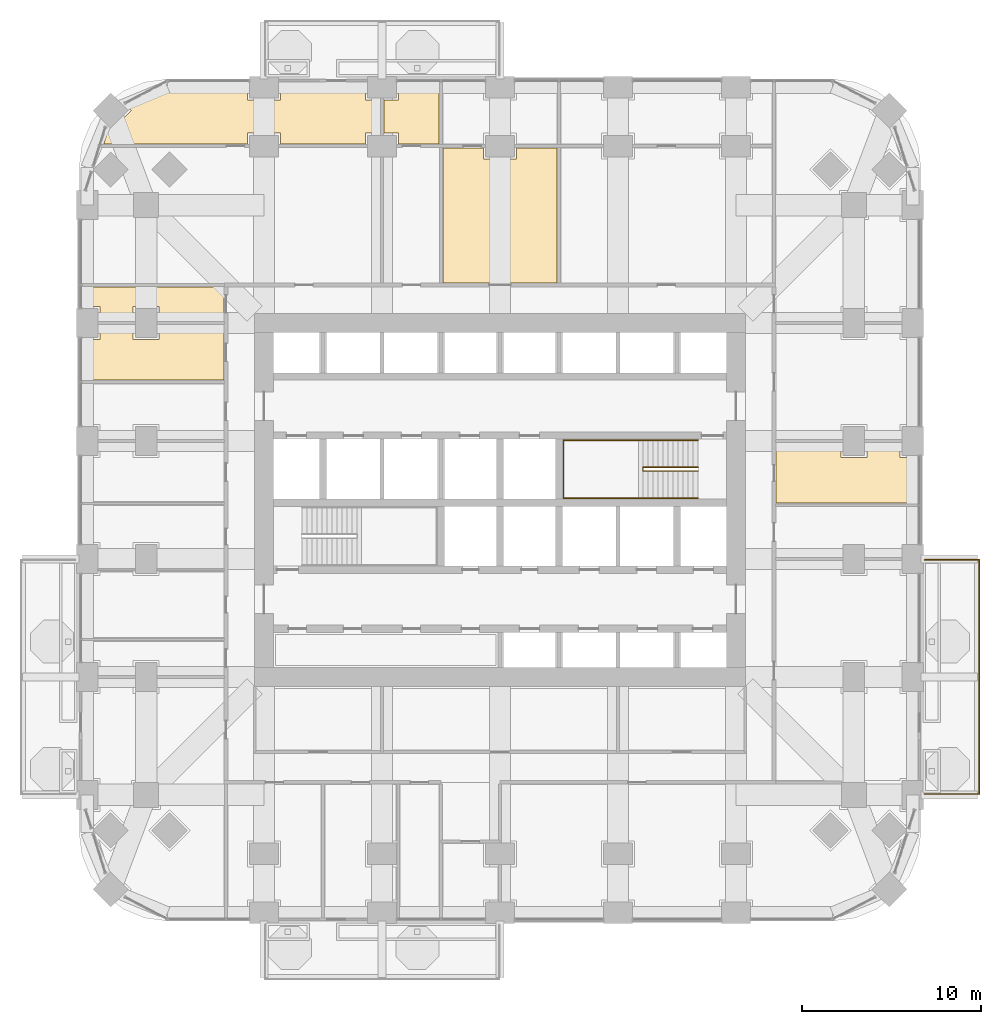
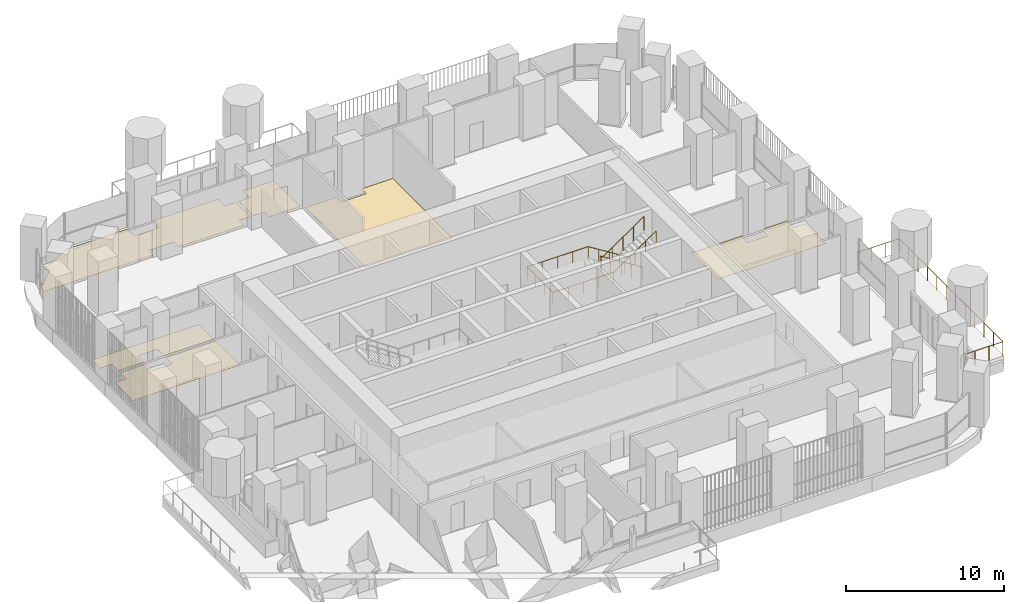
# One storey, part 19 of 21: 6 coverings, 3 railings.
"""IFC4 building model written with IfcOpenShell, lengths in metres."""

from ifc_helpers import new_model, si_unit, direction, frame, origin, place, context, subcontext, project, spatial, polyline, outline, extrude, material, layer, layer_set, type_object, element, save


model = new_model("IFC4")

# Units and contexts
model_context = context("Model", 3, precision=1e-05, world=origin(), true_north=direction((0.0, 1.0)))
body_context = subcontext(model_context, "Body", "Model", "MODEL_VIEW")
ifc_project = project(units=[si_unit("LENGTHUNIT", "METRE"), si_unit("AREAUNIT", "SQUARE_METRE"), si_unit("VOLUMEUNIT", "CUBIC_METRE"), si_unit("PLANEANGLEUNIT", "RADIAN"), si_unit("MASSUNIT", "GRAM", prefix="KILO")], contexts=[model_context])

# Site, building, storey
site_placement = place(None, origin())
site = spatial("IfcSite", under=ifc_project, at=site_placement, CompositionType="ELEMENT")
building_placement = place(site_placement, origin())
building = spatial("IfcBuilding", under=site, at=building_placement, Name="Cobogo Forest Laboratory Tower", CompositionType="ELEMENT")
storey_placement = place(building_placement, frame((0.0, 0.0, 90.60009765625)))
storey = spatial("IfcBuildingStorey", under=building, at=storey_placement, Name="L20", CompositionType="ELEMENT", Elevation=90.60009765625)

# Railing
ifc_material_1 = material(Name="Laminated glass balustrade", Category="glass")
railing_type_1 = type_object("IfcRailingType", Name="BG1 glass balustrade 1100", PredefinedType="GUARDRAIL", material=ifc_material_1)
railing_1_placement = place(storey_placement, frame((50.14990234375, 6.64990234375, 0.0)))
element("IfcRailing", 1, at=railing_1_placement, inside=storey, type_object=railing_type_1, Name="Balcony balustrade BAL-E1 L20", PredefinedType="GUARDRAIL", context=body_context, shape_type="SweptSolid", body=[
    extrude(outline(polyline([(0.022216796875, 0.00927734375), (0.00927734375, 0.022216796875), (-0.00927734375, 0.022216796875), (-0.022216796875, 0.00927734375), (-0.022216796875, -0.00927734375), (-0.00927734375, -0.022216796875), (0.00927734375, -0.022216796875), (0.022216796875, -0.00927734375), (0.022216796875, 0.00927734375)])), frame((0.0, 0.0, 1.077880859375), z_axis=(1.0, 0.0, 0.0), x_axis=(0.0, 1.0, 0.0)), (0.0, 0.0, 1.0), 3.050048828125),
    extrude(outline(polyline([(0.022216796875, 0.00927734375), (0.00927734375, 0.022216796875), (-0.00927734375, 0.022216796875), (-0.022216796875, 0.00927734375), (-0.022216796875, -0.00927734375), (-0.00927734375, -0.022216796875), (0.00927734375, -0.022216796875), (0.022216796875, -0.00927734375), (0.022216796875, 0.00927734375)])), frame((3.050048828125, 0.0, 1.077880859375), z_axis=(0.0, 1.0, 0.0), x_axis=(-1.0, 0.0, 0.0)), (0.0, 0.0, 1.0), 13.10009765625),
    extrude(outline(polyline([(0.022216796875, 0.00927734375), (0.00927734375, 0.022216796875), (-0.00927734375, 0.022216796875), (-0.022216796875, 0.00927734375), (-0.022216796875, -0.00927734375), (-0.00927734375, -0.022216796875), (0.00927734375, -0.022216796875), (0.022216796875, -0.00927734375), (0.022216796875, 0.00927734375)])), frame((3.050048828125, 13.10009765625, 1.077880859375), z_axis=(-1.0, 0.0, 0.0), x_axis=(0.0, -1.0, 0.0)), (0.0, 0.0, 1.0), 3.050048828125),
    extrude(outline(polyline([(0.019287109375, 0.008056640625), (0.008056640625, 0.019287109375), (-0.008056640625, 0.019287109375), (-0.019287109375, 0.008056640625), (-0.019287109375, -0.008056640625), (-0.008056640625, -0.019287109375), (0.008056640625, -0.019287109375), (0.019287109375, -0.008056640625), (0.019287109375, 0.008056640625)])), origin(), (0.0, 0.0, 1.0), 1.077880859375),
    extrude(outline(polyline([(0.019287109375, 0.008056640625), (0.008056640625, 0.019287109375), (-0.008056640625, 0.019287109375), (-0.019287109375, 0.008056640625), (-0.019287109375, -0.008056640625), (-0.008056640625, -0.019287109375), (0.008056640625, -0.019287109375), (0.019287109375, -0.008056640625), (0.019287109375, 0.008056640625)])), frame((1.0166015625, 0.0, 0.0)), (0.0, 0.0, 1.0), 1.077880859375),
    extrude(outline(polyline([(0.019287109375, 0.008056640625), (0.008056640625, 0.019287109375), (-0.008056640625, 0.019287109375), (-0.019287109375, 0.008056640625), (-0.019287109375, -0.008056640625), (-0.008056640625, -0.019287109375), (0.008056640625, -0.019287109375), (0.019287109375, -0.008056640625), (0.019287109375, 0.008056640625)])), frame((2.033447265625, 0.0, 0.0)), (0.0, 0.0, 1.0), 1.077880859375),
    extrude(outline(polyline([(0.019287109375, 0.008056640625), (0.008056640625, 0.019287109375), (-0.008056640625, 0.019287109375), (-0.019287109375, 0.008056640625), (-0.019287109375, -0.008056640625), (-0.008056640625, -0.019287109375), (0.008056640625, -0.019287109375), (0.019287109375, -0.008056640625), (0.019287109375, 0.008056640625)])), frame((3.050048828125, 0.0, 0.0)), (0.0, 0.0, 1.0), 1.077880859375),
    extrude(outline(polyline([(0.019287109375, 0.008056640625), (0.008056640625, 0.019287109375), (-0.008056640625, 0.019287109375), (-0.019287109375, 0.008056640625), (-0.019287109375, -0.008056640625), (-0.008056640625, -0.019287109375), (0.008056640625, -0.019287109375), (0.019287109375, -0.008056640625), (0.019287109375, 0.008056640625)])), frame((3.050048828125, 1.19091796875, 0.0)), (0.0, 0.0, 1.0), 1.077880859375),
    extrude(outline(polyline([(0.019287109375, 0.008056640625), (0.008056640625, 0.019287109375), (-0.008056640625, 0.019287109375), (-0.019287109375, 0.008056640625), (-0.019287109375, -0.008056640625), (-0.008056640625, -0.019287109375), (0.008056640625, -0.019287109375), (0.019287109375, -0.008056640625), (0.019287109375, 0.008056640625)])), frame((3.050048828125, 2.3818359375, 0.0)), (0.0, 0.0, 1.0), 1.077880859375),
    extrude(outline(polyline([(0.019287109375, 0.008056640625), (0.008056640625, 0.019287109375), (-0.008056640625, 0.019287109375), (-0.019287109375, 0.008056640625), (-0.019287109375, -0.008056640625), (-0.008056640625, -0.019287109375), (0.008056640625, -0.019287109375), (0.019287109375, -0.008056640625), (0.019287109375, 0.008056640625)])), frame((3.050048828125, 3.57275390625, 0.0)), (0.0, 0.0, 1.0), 1.077880859375),
    extrude(outline(polyline([(0.019287109375, 0.008056640625), (0.008056640625, 0.019287109375), (-0.008056640625, 0.019287109375), (-0.019287109375, 0.008056640625), (-0.019287109375, -0.008056640625), (-0.008056640625, -0.019287109375), (0.008056640625, -0.019287109375), (0.019287109375, -0.008056640625), (0.019287109375, 0.008056640625)])), frame((3.050048828125, 4.763671875, 0.0)), (0.0, 0.0, 1.0), 1.077880859375),
    extrude(outline(polyline([(0.019287109375, 0.008056640625), (0.008056640625, 0.019287109375), (-0.008056640625, 0.019287109375), (-0.019287109375, 0.008056640625), (-0.019287109375, -0.008056640625), (-0.008056640625, -0.019287109375), (0.008056640625, -0.019287109375), (0.019287109375, -0.008056640625), (0.019287109375, 0.008056640625)])), frame((3.050048828125, 5.95458984375, 0.0)), (0.0, 0.0, 1.0), 1.077880859375),
    extrude(outline(polyline([(0.019287109375, 0.008056640625), (0.008056640625, 0.019287109375), (-0.008056640625, 0.019287109375), (-0.019287109375, 0.008056640625), (-0.019287109375, -0.008056640625), (-0.008056640625, -0.019287109375), (0.008056640625, -0.019287109375), (0.019287109375, -0.008056640625), (0.019287109375, 0.008056640625)])), frame((3.050048828125, 7.1455078125, 0.0)), (0.0, 0.0, 1.0), 1.077880859375),
    extrude(outline(polyline([(0.019287109375, 0.008056640625), (0.008056640625, 0.019287109375), (-0.008056640625, 0.019287109375), (-0.019287109375, 0.008056640625), (-0.019287109375, -0.008056640625), (-0.008056640625, -0.019287109375), (0.008056640625, -0.019287109375), (0.019287109375, -0.008056640625), (0.019287109375, 0.008056640625)])), frame((3.050048828125, 8.33642578125, 0.0)), (0.0, 0.0, 1.0), 1.077880859375),
    extrude(outline(polyline([(0.019287109375, 0.008056640625), (0.008056640625, 0.019287109375), (-0.008056640625, 0.019287109375), (-0.019287109375, 0.008056640625), (-0.019287109375, -0.008056640625), (-0.008056640625, -0.019287109375), (0.008056640625, -0.019287109375), (0.019287109375, -0.008056640625), (0.019287109375, 0.008056640625)])), frame((3.050048828125, 9.52734375, 0.0)), (0.0, 0.0, 1.0), 1.077880859375),
    extrude(outline(polyline([(0.019287109375, 0.008056640625), (0.008056640625, 0.019287109375), (-0.008056640625, 0.019287109375), (-0.019287109375, 0.008056640625), (-0.019287109375, -0.008056640625), (-0.008056640625, -0.019287109375), (0.008056640625, -0.019287109375), (0.019287109375, -0.008056640625), (0.019287109375, 0.008056640625)])), frame((3.050048828125, 10.71826171875, 0.0)), (0.0, 0.0, 1.0), 1.077880859375),
    extrude(outline(polyline([(0.019287109375, 0.008056640625), (0.008056640625, 0.019287109375), (-0.008056640625, 0.019287109375), (-0.019287109375, 0.008056640625), (-0.019287109375, -0.008056640625), (-0.008056640625, -0.019287109375), (0.008056640625, -0.019287109375), (0.019287109375, -0.008056640625), (0.019287109375, 0.008056640625)])), frame((3.050048828125, 11.9091796875, 0.0)), (0.0, 0.0, 1.0), 1.077880859375),
    extrude(outline(polyline([(0.019287109375, 0.008056640625), (0.008056640625, 0.019287109375), (-0.008056640625, 0.019287109375), (-0.019287109375, 0.008056640625), (-0.019287109375, -0.008056640625), (-0.008056640625, -0.019287109375), (0.008056640625, -0.019287109375), (0.019287109375, -0.008056640625), (0.019287109375, 0.008056640625)])), frame((3.050048828125, 13.10009765625, 0.0)), (0.0, 0.0, 1.0), 1.077880859375),
    extrude(outline(polyline([(0.019287109375, 0.008056640625), (0.008056640625, 0.019287109375), (-0.008056640625, 0.019287109375), (-0.019287109375, 0.008056640625), (-0.019287109375, -0.008056640625), (-0.008056640625, -0.019287109375), (0.008056640625, -0.019287109375), (0.019287109375, -0.008056640625), (0.019287109375, 0.008056640625)])), frame((2.033447265625, 13.10009765625, 0.0)), (0.0, 0.0, 1.0), 1.077880859375),
    extrude(outline(polyline([(0.019287109375, 0.008056640625), (0.008056640625, 0.019287109375), (-0.008056640625, 0.019287109375), (-0.019287109375, 0.008056640625), (-0.019287109375, -0.008056640625), (-0.008056640625, -0.019287109375), (0.008056640625, -0.019287109375), (0.019287109375, -0.008056640625), (0.019287109375, 0.008056640625)])), frame((1.0166015625, 13.10009765625, 0.0)), (0.0, 0.0, 1.0), 1.077880859375),
    extrude(outline(polyline([(0.019287109375, 0.008056640625), (0.008056640625, 0.019287109375), (-0.008056640625, 0.019287109375), (-0.019287109375, 0.008056640625), (-0.019287109375, -0.008056640625), (-0.008056640625, -0.019287109375), (0.008056640625, -0.019287109375), (0.019287109375, -0.008056640625), (0.019287109375, 0.008056640625)])), frame((0.0, 13.10009765625, 0.0)), (0.0, 0.0, 1.0), 1.077880859375),
])

# Coverings
ifc_material_2 = material(Name="Carpet tile on raised access floor", Category="flooring")
ifc_layer_1 = layer(ifc_material_2, 0.008056640625)
ifc_layer_set_1 = layer_set([ifc_layer_1], Name="CT1 carpet tile floor 8")
covering_type_1 = type_object("IfcCoveringType", Name="CT1 carpet tile floor 8", PredefinedType="FLOORING", material=ifc_layer_set_1)
covering_1_placement = place(storey_placement, origin())
element("IfcCovering", 2, at=covering_1_placement, inside=storey, type_object=covering_type_1, Name="Carpet floor L20-15", PredefinedType="FLOORING", context=body_context, shape_type="SweptSolid", body=[
    extrude(outline(polyline([(14.1201171875, 43.02001953125), (14.1201171875, 43.6201171875), (12.280029296875, 43.6201171875), (12.280029296875, 43.02001953125), (4.23974609375, 43.02001953125), (4.4990234375, 43.84130859375), (4.617919921875, 43.722412109375), (5.777587890625, 44.882080078125), (5.527099609375, 45.132568359375), (7.84912109375, 46.35009765625), (12.280029296875, 46.35009765625), (12.280029296875, 45.47998046875), (14.1201171875, 45.47998046875), (14.1201171875, 46.35009765625), (18.8798828125, 46.35009765625), (18.8798828125, 45.47998046875), (19.679931640625, 45.47998046875), (19.679931640625, 43.6201171875), (18.8798828125, 43.6201171875), (18.8798828125, 43.02001953125), (14.1201171875, 43.02001953125)])), origin(), (0.0, 0.0, 1.0), 0.0078125),
])
covering_2_placement = place(storey_placement, origin())
element("IfcCovering", 3, at=covering_2_placement, inside=storey, type_object=covering_type_1, Name="Carpet floor L20-17", PredefinedType="FLOORING", context=body_context, shape_type="SweptSolid", body=[
    extrude(outline(polyline([(20.719970703125, 43.02001953125), (20.719970703125, 43.6201171875), (19.919921875, 43.6201171875), (19.919921875, 45.47998046875), (20.719970703125, 45.47998046875), (20.719970703125, 46.35009765625), (22.97998046875, 46.35009765625), (22.97998046875, 43.02001953125), (20.719970703125, 43.02001953125)])), origin(), (0.0, 0.0, 1.0), 0.0078125),
])
covering_3_placement = place(storey_placement, origin())
element("IfcCovering", 4, at=covering_3_placement, inside=storey, type_object=covering_type_1, Name="Carpet floor L20-28", PredefinedType="FLOORING", context=body_context, shape_type="SweptSolid", body=[
    extrude(outline(polyline([(10.955078125, 29.820068359375), (3.14990234375, 29.820068359375), (3.14990234375, 32.080078125), (4.02001953125, 32.080078125), (4.02001953125, 32.8798828125), (5.8798828125, 32.8798828125), (5.8798828125, 32.080078125), (7.320068359375, 32.080078125), (7.320068359375, 32.8798828125), (10.955078125, 32.8798828125), (10.955078125, 29.820068359375)])), origin(), (0.0, 0.0, 1.0), 0.0078125),
])
covering_4_placement = place(storey_placement, origin())
element("IfcCovering", 5, at=covering_4_placement, inside=storey, type_object=covering_type_1, Name="Carpet floor L20-29", PredefinedType="FLOORING", context=body_context, shape_type="SweptSolid", body=[
    extrude(outline(polyline([(10.955078125, 33.1201171875), (7.320068359375, 33.1201171875), (7.320068359375, 33.919921875), (5.8798828125, 33.919921875), (5.8798828125, 33.1201171875), (4.02001953125, 33.1201171875), (4.02001953125, 33.919921875), (3.14990234375, 33.919921875), (3.14990234375, 35.0048828125), (10.955078125, 35.0048828125), (10.955078125, 33.1201171875)])), origin(), (0.0, 0.0, 1.0), 0.0078125),
])

# Railings
ifc_material_3 = material(Name="Steel balustrade", Category="steel")
railing_type_2 = type_object("IfcRailingType", Name="GR stair guard 1100", PredefinedType="GUARDRAIL", material=ifc_material_3)
railing_2_placement = place(storey_placement, frame((37.47509765625, 24.929931640625, 0.1748046875)))
element("IfcRailing", 6, at=railing_2_placement, inside=storey, type_object=railing_type_2, Name="Stair guard ST2 L20", PredefinedType="GUARDRAIL", context=body_context, shape_type="SweptSolid", body=[
    extrude(outline(polyline([(0.022216796875, 0.00927734375), (0.00927734375, 0.022216796875), (-0.00927734375, 0.022216796875), (-0.022216796875, 0.00927734375), (-0.022216796875, -0.00927734375), (-0.00927734375, -0.022216796875), (0.00927734375, -0.022216796875), (0.022216796875, -0.00927734375), (0.022216796875, 0.00927734375)])), frame((0.0, 0.0, 1.077880859375), z_axis=(-0.847998304005, 0.0, 0.529998940003), x_axis=(0.0, -1.0, 0.0)), (0.0, 0.0, 1.0), 3.632080078125),
    extrude(outline(polyline([(0.022216796875, 0.00927734375), (0.00927734375, 0.022216796875), (-0.00927734375, 0.022216796875), (-0.022216796875, 0.00927734375), (-0.022216796875, -0.00927734375), (-0.00927734375, -0.022216796875), (0.00927734375, -0.022216796875), (0.022216796875, -0.00927734375), (0.022216796875, 0.00927734375)])), frame((-3.080078125, 0.0, 3.0029296875), z_axis=(0.0, -1.0, 0.0), x_axis=(1.0, 0.0, 0.0)), (0.0, 0.0, 1.0), 0.2099609375),
    extrude(outline(polyline([(0.022216796875, 0.00927734375), (0.00927734375, 0.022216796875), (-0.00927734375, 0.022216796875), (-0.022216796875, 0.00927734375), (-0.022216796875, -0.00927734375), (-0.00927734375, -0.022216796875), (0.00927734375, -0.022216796875), (0.022216796875, -0.00927734375), (0.022216796875, 0.00927734375)])), frame((-3.080078125, -0.2099609375, 3.0029296875), z_axis=(0.826221800596, 0.0, 0.563344953133), x_axis=(0.0, 1.0, 0.0)), (0.0, 0.0, 1.0), 3.72802734375),
    extrude(outline(polyline([(0.019287109375, 0.008056640625), (0.008056640625, 0.019287109375), (-0.008056640625, 0.019287109375), (-0.019287109375, 0.008056640625), (-0.019287109375, -0.008056640625), (-0.008056640625, -0.019287109375), (0.008056640625, -0.019287109375), (0.019287109375, -0.008056640625), (0.019287109375, 0.008056640625)])), origin(), (0.0, 0.0, 1.0), 1.077880859375),
    extrude(outline(polyline([(0.019287109375, 0.008056640625), (0.008056640625, 0.019287109375), (-0.008056640625, 0.019287109375), (-0.019287109375, 0.008056640625), (-0.019287109375, -0.008056640625), (-0.008056640625, -0.019287109375), (0.008056640625, -0.019287109375), (0.019287109375, -0.008056640625), (0.019287109375, 0.008056640625)])), frame((-0.77001953125, 0.0, 0.481201171875)), (0.0, 0.0, 1.0), 1.077880859375),
    extrude(outline(polyline([(0.019287109375, 0.008056640625), (0.008056640625, 0.019287109375), (-0.008056640625, 0.019287109375), (-0.019287109375, 0.008056640625), (-0.019287109375, -0.008056640625), (-0.008056640625, -0.019287109375), (0.008056640625, -0.019287109375), (0.019287109375, -0.008056640625), (0.019287109375, 0.008056640625)])), frame((-1.5400390625, 0.0, 0.96240234375)), (0.0, 0.0, 1.0), 1.077880859375),
    extrude(outline(polyline([(0.019287109375, 0.008056640625), (0.008056640625, 0.019287109375), (-0.008056640625, 0.019287109375), (-0.019287109375, 0.008056640625), (-0.019287109375, -0.008056640625), (-0.008056640625, -0.019287109375), (0.008056640625, -0.019287109375), (0.019287109375, -0.008056640625), (0.019287109375, 0.008056640625)])), frame((-2.31005859375, 0.0, 1.44384765625)), (0.0, 0.0, 1.0), 1.077880859375),
    extrude(outline(polyline([(0.019287109375, 0.008056640625), (0.008056640625, 0.019287109375), (-0.008056640625, 0.019287109375), (-0.019287109375, 0.008056640625), (-0.019287109375, -0.008056640625), (-0.008056640625, -0.019287109375), (0.008056640625, -0.019287109375), (0.019287109375, -0.008056640625), (0.019287109375, 0.008056640625)])), frame((-3.080078125, 0.0, 1.925048828125)), (0.0, 0.0, 1.0), 1.077880859375),
    extrude(outline(polyline([(0.019287109375, 0.008056640625), (0.008056640625, 0.019287109375), (-0.008056640625, 0.019287109375), (-0.019287109375, 0.008056640625), (-0.019287109375, -0.008056640625), (-0.008056640625, -0.019287109375), (0.008056640625, -0.019287109375), (0.019287109375, -0.008056640625), (0.019287109375, 0.008056640625)])), frame((-3.080078125, -0.2099609375, 1.925048828125)), (0.0, 0.0, 1.0), 1.077880859375),
    extrude(outline(polyline([(0.019287109375, 0.008056640625), (0.008056640625, 0.019287109375), (-0.008056640625, 0.019287109375), (-0.019287109375, 0.008056640625), (-0.019287109375, -0.008056640625), (-0.008056640625, -0.019287109375), (0.008056640625, -0.019287109375), (0.019287109375, -0.008056640625), (0.019287109375, 0.008056640625)])), frame((-2.31005859375, -0.2099609375, 2.4501953125)), (0.0, 0.0, 1.0), 1.077880859375),
    extrude(outline(polyline([(0.019287109375, 0.008056640625), (0.008056640625, 0.019287109375), (-0.008056640625, 0.019287109375), (-0.019287109375, 0.008056640625), (-0.019287109375, -0.008056640625), (-0.008056640625, -0.019287109375), (0.008056640625, -0.019287109375), (0.019287109375, -0.008056640625), (0.019287109375, 0.008056640625)])), frame((-1.5400390625, -0.2099609375, 2.97509765625)), (0.0, 0.0, 1.0), 1.077880859375),
    extrude(outline(polyline([(0.019287109375, 0.008056640625), (0.008056640625, 0.019287109375), (-0.008056640625, 0.019287109375), (-0.019287109375, 0.008056640625), (-0.019287109375, -0.008056640625), (-0.008056640625, -0.019287109375), (0.008056640625, -0.019287109375), (0.019287109375, -0.008056640625), (0.019287109375, 0.008056640625)])), frame((-0.77001953125, -0.2099609375, 3.5)), (0.0, 0.0, 1.0), 1.077880859375),
    extrude(outline(polyline([(0.019287109375, 0.008056640625), (0.008056640625, 0.019287109375), (-0.008056640625, 0.019287109375), (-0.019287109375, 0.008056640625), (-0.019287109375, -0.008056640625), (-0.008056640625, -0.019287109375), (0.008056640625, -0.019287109375), (0.019287109375, -0.008056640625), (0.019287109375, 0.008056640625)])), frame((0.0, -0.2099609375, 4.025146484375)), (0.0, 0.0, 1.0), 1.077880859375),
])
ifc_material_4 = material(Name="Stainless steel handrail", Category="steel")
railing_type_3 = type_object("IfcRailingType", Name="HR handrail 900", PredefinedType="HANDRAIL", material=ifc_material_4)
railing_3_placement = place(storey_placement, frame((37.47509765625, 26.449951171875, 0.1748046875)))
element("IfcRailing", 7, at=railing_3_placement, inside=storey, type_object=railing_type_3, Name="Stair handrail ST2 L20", PredefinedType="HANDRAIL", context=body_context, shape_type="SweptSolid", body=[
    extrude(outline(polyline([(0.022216796875, 0.00927734375), (0.00927734375, 0.022216796875), (-0.00927734375, 0.022216796875), (-0.022216796875, 0.00927734375), (-0.022216796875, -0.00927734375), (-0.00927734375, -0.022216796875), (0.00927734375, -0.022216796875), (0.022216796875, -0.00927734375), (0.022216796875, 0.00927734375)])), frame((0.0, 0.0, 0.877685546875), z_axis=(-0.847998304005, 0.0, 0.529998940003), x_axis=(0.0, -1.0, 0.0)), (0.0, 0.0, 1.0), 3.632080078125),
    extrude(outline(polyline([(0.022216796875, 0.00927734375), (0.00927734375, 0.022216796875), (-0.00927734375, 0.022216796875), (-0.022216796875, 0.00927734375), (-0.022216796875, -0.00927734375), (-0.00927734375, -0.022216796875), (0.00927734375, -0.022216796875), (0.022216796875, -0.00927734375), (0.022216796875, 0.00927734375)])), frame((-3.080078125, 0.0, 2.802734375), z_axis=(-1.0, 0.0, 0.0), x_axis=(0.0, -1.0, 0.0)), (0.0, 0.0, 1.0), 4.445068359375),
    extrude(outline(polyline([(0.022216796875, 0.00927734375), (0.00927734375, 0.022216796875), (-0.00927734375, 0.022216796875), (-0.022216796875, 0.00927734375), (-0.022216796875, -0.00927734375), (-0.00927734375, -0.022216796875), (0.00927734375, -0.022216796875), (0.022216796875, -0.00927734375), (0.022216796875, 0.00927734375)])), frame((-7.525146484375, 0.0, 2.802734375), z_axis=(0.0, -1.0, 0.0), x_axis=(1.0, 0.0, 0.0)), (0.0, 0.0, 1.0), 3.25),
    extrude(outline(polyline([(0.022216796875, 0.00927734375), (0.00927734375, 0.022216796875), (-0.00927734375, 0.022216796875), (-0.022216796875, 0.00927734375), (-0.022216796875, -0.00927734375), (-0.00927734375, -0.022216796875), (0.00927734375, -0.022216796875), (0.022216796875, -0.00927734375), (0.022216796875, 0.00927734375)])), frame((-7.525146484375, -3.25, 2.802734375), z_axis=(1.0, 0.0, 0.0), x_axis=(0.0, 1.0, 0.0)), (0.0, 0.0, 1.0), 4.445068359375),
    extrude(outline(polyline([(0.022216796875, 0.00927734375), (0.00927734375, 0.022216796875), (-0.00927734375, 0.022216796875), (-0.022216796875, 0.00927734375), (-0.022216796875, -0.00927734375), (-0.00927734375, -0.022216796875), (0.00927734375, -0.022216796875), (0.022216796875, -0.00927734375), (0.022216796875, 0.00927734375)])), frame((-3.080078125, -3.25, 2.802734375), z_axis=(0.826221800596, 0.0, 0.563344953133), x_axis=(0.0, 1.0, 0.0)), (0.0, 0.0, 1.0), 3.72802734375),
    extrude(outline(polyline([(0.019287109375, 0.008056640625), (0.008056640625, 0.019287109375), (-0.008056640625, 0.019287109375), (-0.019287109375, 0.008056640625), (-0.019287109375, -0.008056640625), (-0.008056640625, -0.019287109375), (0.008056640625, -0.019287109375), (0.019287109375, -0.008056640625), (0.019287109375, 0.008056640625)])), origin(), (0.0, 0.0, 1.0), 0.877685546875),
    extrude(outline(polyline([(0.019287109375, 0.008056640625), (0.008056640625, 0.019287109375), (-0.008056640625, 0.019287109375), (-0.019287109375, 0.008056640625), (-0.019287109375, -0.008056640625), (-0.008056640625, -0.019287109375), (0.008056640625, -0.019287109375), (0.019287109375, -0.008056640625), (0.019287109375, 0.008056640625)])), frame((-0.77001953125, 0.0, 0.481201171875)), (0.0, 0.0, 1.0), 0.877685546875),
    extrude(outline(polyline([(0.019287109375, 0.008056640625), (0.008056640625, 0.019287109375), (-0.008056640625, 0.019287109375), (-0.019287109375, 0.008056640625), (-0.019287109375, -0.008056640625), (-0.008056640625, -0.019287109375), (0.008056640625, -0.019287109375), (0.019287109375, -0.008056640625), (0.019287109375, 0.008056640625)])), frame((-1.5400390625, 0.0, 0.96240234375)), (0.0, 0.0, 1.0), 0.877685546875),
    extrude(outline(polyline([(0.019287109375, 0.008056640625), (0.008056640625, 0.019287109375), (-0.008056640625, 0.019287109375), (-0.019287109375, 0.008056640625), (-0.019287109375, -0.008056640625), (-0.008056640625, -0.019287109375), (0.008056640625, -0.019287109375), (0.019287109375, -0.008056640625), (0.019287109375, 0.008056640625)])), frame((-2.31005859375, 0.0, 1.44384765625)), (0.0, 0.0, 1.0), 0.877685546875),
    extrude(outline(polyline([(0.019287109375, 0.008056640625), (0.008056640625, 0.019287109375), (-0.008056640625, 0.019287109375), (-0.019287109375, 0.008056640625), (-0.019287109375, -0.008056640625), (-0.008056640625, -0.019287109375), (0.008056640625, -0.019287109375), (0.019287109375, -0.008056640625), (0.019287109375, 0.008056640625)])), frame((-3.080078125, 0.0, 1.925048828125)), (0.0, 0.0, 1.0), 0.877685546875),
    extrude(outline(polyline([(0.019287109375, 0.008056640625), (0.008056640625, 0.019287109375), (-0.008056640625, 0.019287109375), (-0.019287109375, 0.008056640625), (-0.019287109375, -0.008056640625), (-0.008056640625, -0.019287109375), (0.008056640625, -0.019287109375), (0.019287109375, -0.008056640625), (0.019287109375, 0.008056640625)])), frame((-4.19140625, 0.0, 1.925048828125)), (0.0, 0.0, 1.0), 0.877685546875),
    extrude(outline(polyline([(0.019287109375, 0.008056640625), (0.008056640625, 0.019287109375), (-0.008056640625, 0.019287109375), (-0.019287109375, 0.008056640625), (-0.019287109375, -0.008056640625), (-0.008056640625, -0.019287109375), (0.008056640625, -0.019287109375), (0.019287109375, -0.008056640625), (0.019287109375, 0.008056640625)])), frame((-5.302734375, 0.0, 1.925048828125)), (0.0, 0.0, 1.0), 0.877685546875),
    extrude(outline(polyline([(0.019287109375, 0.008056640625), (0.008056640625, 0.019287109375), (-0.008056640625, 0.019287109375), (-0.019287109375, 0.008056640625), (-0.019287109375, -0.008056640625), (-0.008056640625, -0.019287109375), (0.008056640625, -0.019287109375), (0.019287109375, -0.008056640625), (0.019287109375, 0.008056640625)])), frame((-6.413818359375, 0.0, 1.925048828125)), (0.0, 0.0, 1.0), 0.877685546875),
    extrude(outline(polyline([(0.019287109375, 0.008056640625), (0.008056640625, 0.019287109375), (-0.008056640625, 0.019287109375), (-0.019287109375, 0.008056640625), (-0.019287109375, -0.008056640625), (-0.008056640625, -0.019287109375), (0.008056640625, -0.019287109375), (0.019287109375, -0.008056640625), (0.019287109375, 0.008056640625)])), frame((-7.525146484375, 0.0, 1.925048828125)), (0.0, 0.0, 1.0), 0.877685546875),
    extrude(outline(polyline([(0.019287109375, 0.008056640625), (0.008056640625, 0.019287109375), (-0.008056640625, 0.019287109375), (-0.019287109375, 0.008056640625), (-0.019287109375, -0.008056640625), (-0.008056640625, -0.019287109375), (0.008056640625, -0.019287109375), (0.019287109375, -0.008056640625), (0.019287109375, 0.008056640625)])), frame((-7.525146484375, -1.083251953125, 1.925048828125)), (0.0, 0.0, 1.0), 0.877685546875),
    extrude(outline(polyline([(0.019287109375, 0.008056640625), (0.008056640625, 0.019287109375), (-0.008056640625, 0.019287109375), (-0.019287109375, 0.008056640625), (-0.019287109375, -0.008056640625), (-0.008056640625, -0.019287109375), (0.008056640625, -0.019287109375), (0.019287109375, -0.008056640625), (0.019287109375, 0.008056640625)])), frame((-7.525146484375, -2.166748046875, 1.925048828125)), (0.0, 0.0, 1.0), 0.877685546875),
    extrude(outline(polyline([(0.019287109375, 0.008056640625), (0.008056640625, 0.019287109375), (-0.008056640625, 0.019287109375), (-0.019287109375, 0.008056640625), (-0.019287109375, -0.008056640625), (-0.008056640625, -0.019287109375), (0.008056640625, -0.019287109375), (0.019287109375, -0.008056640625), (0.019287109375, 0.008056640625)])), frame((-7.525146484375, -3.25, 1.925048828125)), (0.0, 0.0, 1.0), 0.877685546875),
    extrude(outline(polyline([(0.019287109375, 0.008056640625), (0.008056640625, 0.019287109375), (-0.008056640625, 0.019287109375), (-0.019287109375, 0.008056640625), (-0.019287109375, -0.008056640625), (-0.008056640625, -0.019287109375), (0.008056640625, -0.019287109375), (0.019287109375, -0.008056640625), (0.019287109375, 0.008056640625)])), frame((-6.413818359375, -3.25, 1.925048828125)), (0.0, 0.0, 1.0), 0.877685546875),
    extrude(outline(polyline([(0.019287109375, 0.008056640625), (0.008056640625, 0.019287109375), (-0.008056640625, 0.019287109375), (-0.019287109375, 0.008056640625), (-0.019287109375, -0.008056640625), (-0.008056640625, -0.019287109375), (0.008056640625, -0.019287109375), (0.019287109375, -0.008056640625), (0.019287109375, 0.008056640625)])), frame((-5.302734375, -3.25, 1.925048828125)), (0.0, 0.0, 1.0), 0.877685546875),
    extrude(outline(polyline([(0.019287109375, 0.008056640625), (0.008056640625, 0.019287109375), (-0.008056640625, 0.019287109375), (-0.019287109375, 0.008056640625), (-0.019287109375, -0.008056640625), (-0.008056640625, -0.019287109375), (0.008056640625, -0.019287109375), (0.019287109375, -0.008056640625), (0.019287109375, 0.008056640625)])), frame((-4.19140625, -3.25, 1.925048828125)), (0.0, 0.0, 1.0), 0.877685546875),
    extrude(outline(polyline([(0.019287109375, 0.008056640625), (0.008056640625, 0.019287109375), (-0.008056640625, 0.019287109375), (-0.019287109375, 0.008056640625), (-0.019287109375, -0.008056640625), (-0.008056640625, -0.019287109375), (0.008056640625, -0.019287109375), (0.019287109375, -0.008056640625), (0.019287109375, 0.008056640625)])), frame((-3.080078125, -3.25, 1.925048828125)), (0.0, 0.0, 1.0), 0.877685546875),
    extrude(outline(polyline([(0.019287109375, 0.008056640625), (0.008056640625, 0.019287109375), (-0.008056640625, 0.019287109375), (-0.019287109375, 0.008056640625), (-0.019287109375, -0.008056640625), (-0.008056640625, -0.019287109375), (0.008056640625, -0.019287109375), (0.019287109375, -0.008056640625), (0.019287109375, 0.008056640625)])), frame((-2.31005859375, -3.25, 2.4501953125)), (0.0, 0.0, 1.0), 0.877685546875),
    extrude(outline(polyline([(0.019287109375, 0.008056640625), (0.008056640625, 0.019287109375), (-0.008056640625, 0.019287109375), (-0.019287109375, 0.008056640625), (-0.019287109375, -0.008056640625), (-0.008056640625, -0.019287109375), (0.008056640625, -0.019287109375), (0.019287109375, -0.008056640625), (0.019287109375, 0.008056640625)])), frame((-1.5400390625, -3.25, 2.97509765625)), (0.0, 0.0, 1.0), 0.877685546875),
    extrude(outline(polyline([(0.019287109375, 0.008056640625), (0.008056640625, 0.019287109375), (-0.008056640625, 0.019287109375), (-0.019287109375, 0.008056640625), (-0.019287109375, -0.008056640625), (-0.008056640625, -0.019287109375), (0.008056640625, -0.019287109375), (0.019287109375, -0.008056640625), (0.019287109375, 0.008056640625)])), frame((-0.77001953125, -3.25, 3.5)), (0.0, 0.0, 1.0), 0.877685546875),
    extrude(outline(polyline([(0.019287109375, 0.008056640625), (0.008056640625, 0.019287109375), (-0.008056640625, 0.019287109375), (-0.019287109375, 0.008056640625), (-0.019287109375, -0.008056640625), (-0.008056640625, -0.019287109375), (0.008056640625, -0.019287109375), (0.019287109375, -0.008056640625), (0.019287109375, 0.008056640625)])), frame((0.0, -3.25, 4.025146484375)), (0.0, 0.0, 1.0), 0.877685546875),
])

# Coverings
ifc_material_5 = material(Name="Epoxy resin flooring", Category="flooring")
ifc_layer_2 = layer(ifc_material_5, 0.00390625)
ifc_layer_set_2 = layer_set([ifc_layer_2], Name="LF1 epoxy laboratory floor 4")
covering_type_2 = type_object("IfcCoveringType", Name="LF1 epoxy laboratory floor 4", PredefinedType="FLOORING", material=ifc_layer_set_2)
covering_5_placement = place(storey_placement, origin())
element("IfcCovering", 8, at=covering_5_placement, inside=storey, type_object=covering_type_2, Name="Epoxy laboratory floor L20-18", PredefinedType="FLOORING", context=body_context, shape_type="SweptSolid", body=[
    extrude(outline(polyline([(23.219970703125, 42.780029296875), (25.47998046875, 42.780029296875), (25.47998046875, 42.179931640625), (27.320068359375, 42.179931640625), (27.320068359375, 42.780029296875), (29.580078125, 42.780029296875), (29.580078125, 35.2451171875), (23.219970703125, 35.2451171875), (23.219970703125, 42.780029296875)])), origin(), (0.0, 0.0, 1.0), 0.00390625),
])
ifc_material_6 = material(Name="Static-dissipative vinyl flooring", Category="flooring")
ifc_layer_3 = layer(ifc_material_6, 0.0029296875)
ifc_layer_set_3 = layer_set([ifc_layer_3], Name="SD1 static-dissipative vinyl floor 3")
covering_type_3 = type_object("IfcCoveringType", Name="SD1 static-dissipative vinyl floor 3", PredefinedType="FLOORING", material=ifc_layer_set_3)
covering_6_placement = place(storey_placement, origin())
element("IfcCovering", 9, at=covering_6_placement, inside=storey, type_object=covering_type_3, Name="Static-dissipative floor L20-11", PredefinedType="FLOORING", context=body_context, shape_type="SweptSolid", body=[
    extrude(outline(polyline([(41.844970703125, 26.280029296875), (45.47998046875, 26.280029296875), (45.47998046875, 25.47998046875), (46.919921875, 25.47998046875), (46.919921875, 26.280029296875), (48.780029296875, 26.280029296875), (48.780029296875, 25.47998046875), (49.64990234375, 25.47998046875), (49.64990234375, 22.919921875), (41.844970703125, 22.919921875), (41.844970703125, 26.280029296875)])), origin(), (0.0, 0.0, 1.0), 0.0029296875),
])

save(model, "model.ifc")
